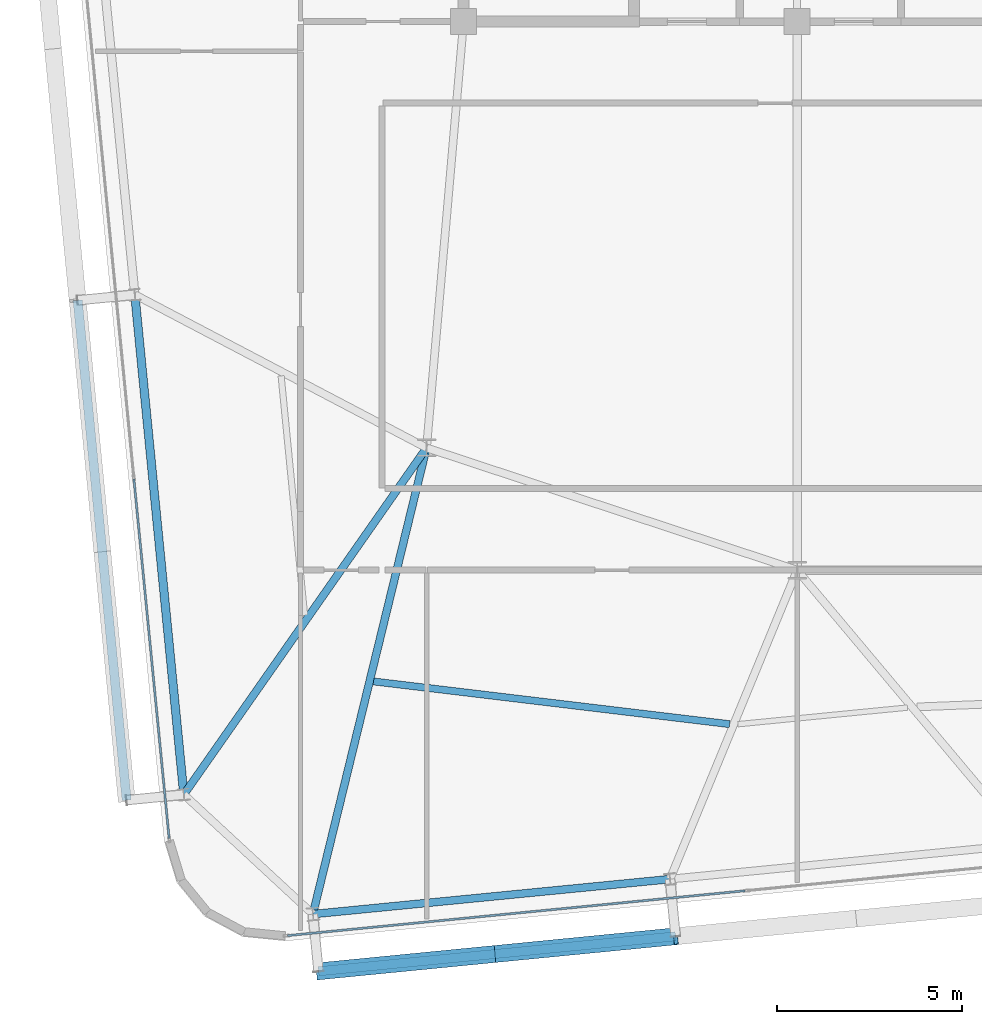
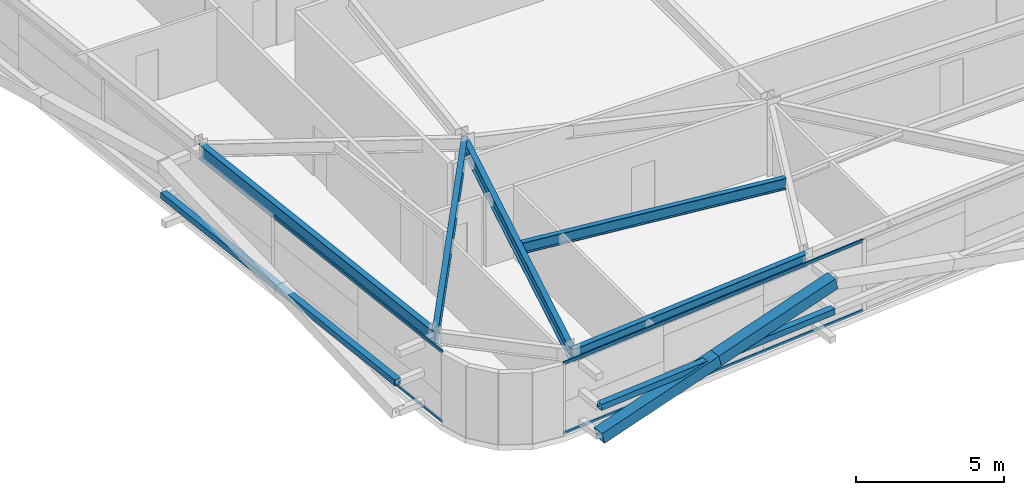
# One storey, part 6 of 47: 8 members, 5 beams, 2 elements without a shape of their own.
"""IFC4 building model written with IfcOpenShell, lengths in metres."""

from ifc_helpers import new_model, si_unit, direction, frame, origin, origin_2d, place, context, subcontext, project, spatial, hollow_rectangle, i_section, extrude, source, transform, mapped, material, layer, layer_set, material_profile, profile_set, type_object, element, aggregate, save


model = new_model("IFC4")

# Units and contexts
model_context = context("Model", 3, precision=1e-05, world=origin(), true_north=direction((0.0, 1.0)))
body_context = subcontext(model_context, "Body", "Model", "MODEL_VIEW")
ifc_project = project(units=[si_unit("LENGTHUNIT", "METRE"), si_unit("AREAUNIT", "SQUARE_METRE"), si_unit("VOLUMEUNIT", "CUBIC_METRE"), si_unit("PLANEANGLEUNIT", "RADIAN"), si_unit("MASSUNIT", "GRAM", prefix="KILO")], contexts=[model_context])

# Site, building, storey
site_placement = place(None, origin())
site = spatial("IfcSite", under=ifc_project, at=site_placement, CompositionType="ELEMENT")
building_placement = place(site_placement, origin())
building = spatial("IfcBuilding", under=site, at=building_placement, Name="Taldren Reach Tower", CompositionType="ELEMENT")
storey_placement = place(building_placement, frame((0.0, 0.0, 106.050048828125)))
storey = spatial("IfcBuildingStorey", under=building, at=storey_placement, Name="L32", CompositionType="ELEMENT", Elevation=106.050048828125)

# Beams
ifc_material_1 = material(Name="Steel Gr 350 (350PLUS)", Category="steel")
ifc_material_profile_1 = material_profile(ifc_material_1, i_section(OverallWidth=0.208984375, OverallDepth=0.528076171875, WebThickness=0.009521484375, FlangeThickness=0.01318359375, at=origin_2d()), Name="530UB82.0")
ifc_profile_set_1 = profile_set([ifc_material_profile_1], Name="Steel Gr 350 (350PLUS)")
beam_type_1 = type_object("IfcBeamType", Name="SP-UB530B", PredefinedType="SPANDREL", material=ifc_profile_set_1)
shared_shape_1 = source(origin(), body_context, "Body", "SweptSolid", [
    extrude(i_section(OverallWidth=0.208984375, OverallDepth=0.528076171875, WebThickness=0.009521484375, FlangeThickness=0.01318359375, at=origin_2d()), origin(), (0.0, 0.0, 1.0), 9.679931640625),
])
beam_1_placement = place(storey_placement, frame((14.93408203125, -0.079833984375, 2.666015625), z_axis=(0.995227612658, 0.097580730699, 0.0), x_axis=(-0.097580730699, 0.995227612658, 0.0)))
element("IfcBeam", 1, at=beam_1_placement, inside=storey, type_object=beam_type_1, Name="Perimeter spandrel B2 S1-S2 L32", PredefinedType="SPANDREL", context=body_context, shape_type="MappedRepresentation", body=[
    mapped(shared_shape_1, transform((0.0, 0.0, 0.0), scale=1.0)),
])
ifc_material_profile_2 = material_profile(ifc_material_1, i_section(OverallWidth=0.22802734375, OverallDepth=0.60205078125, WebThickness=0.010498046875, FlangeThickness=0.014892578125, at=origin_2d()), Name="610UB101")
ifc_profile_set_2 = profile_set([ifc_material_profile_2], Name="Steel Gr 350 (350PLUS)")
beam_type_2 = type_object("IfcBeamType", Name="BM-UB610B", PredefinedType="BEAM", material=ifc_profile_set_2)
shared_shape_2 = source(origin(), body_context, "Body", "SweptSolid", [
    extrude(i_section(OverallWidth=0.22802734375, OverallDepth=0.60205078125, WebThickness=0.010498046875, FlangeThickness=0.014892578125, at=origin_2d()), origin(), (0.0, 0.0, 1.0), 13.550048828125),
])
beam_2_placement = place(storey_placement, frame((10.130615234375, 16.631103515625, 2.62890625), z_axis=(0.097584021339, -0.995227290009, 0.0), x_axis=(0.995227290009, 0.097584021339, 0.0)))
element("IfcBeam", 2, at=beam_2_placement, inside=storey, type_object=beam_type_2, Name="Perimeter gable girder B2 W2-W1 L32", PredefinedType="BEAM", context=body_context, shape_type="MappedRepresentation", body=[
    mapped(shared_shape_2, transform((0.0, 0.0, 0.0), scale=1.0)),
])
ifc_material_profile_3 = material_profile(ifc_material_1, i_section(OverallWidth=0.208984375, OverallDepth=0.532958984375, WebThickness=0.01025390625, FlangeThickness=0.015625, at=origin_2d()), Name="530UB92.4")
ifc_profile_set_3 = profile_set([ifc_material_profile_3], Name="Steel Gr 350 (350PLUS)")
beam_type_3 = type_object("IfcBeamType", Name="BM-UB530A", PredefinedType="BEAM", material=ifc_profile_set_3)
shared_shape_3 = source(origin(), body_context, "Body", "SweptSolid", [
    extrude(i_section(OverallWidth=0.208984375, OverallDepth=0.532958984375, WebThickness=0.01025390625, FlangeThickness=0.015625, at=origin_2d()), origin(), (0.0, 0.0, 1.0), 12.947998046875),
])
beam_3_placement = place(storey_placement, frame((18.0, 12.5, 2.663330078125), z_axis=(-0.236786022782, -0.971561824803, 0.0), x_axis=(0.971561824803, -0.236786022782, 0.0)))
element("IfcBeam", 3, at=beam_3_placement, inside=storey, type_object=beam_type_3, Name="Primary floor girder B2-S1 L32", PredefinedType="BEAM", context=body_context, shape_type="MappedRepresentation", body=[
    mapped(shared_shape_3, transform((0.0, 0.0, 0.0), scale=1.0)),
])
shared_shape_4 = source(origin(), body_context, "Body", "SweptSolid", [
    extrude(i_section(OverallWidth=0.208984375, OverallDepth=0.532958984375, WebThickness=0.01025390625, FlangeThickness=0.015625, at=origin_2d()), origin(), (0.0, 0.0, 1.0), 11.417724609375),
])
beam_4_placement = place(storey_placement, frame((18.0, 12.5, 2.663330078125), z_axis=(-0.573412116146, -0.819267077977, 0.0), x_axis=(0.819267077977, -0.573412116146, 0.0)))
element("IfcBeam", 4, at=beam_4_placement, inside=storey, type_object=beam_type_3, Name="Primary floor girder B2-W1 L32", PredefinedType="BEAM", context=body_context, shape_type="MappedRepresentation", body=[
    mapped(shared_shape_4, transform((0.0, 0.0, 0.0), scale=1.0)),
])
ifc_material_profile_4 = material_profile(ifc_material_1, i_section(OverallWidth=0.19091796875, OverallDepth=0.4599609375, WebThickness=0.010009765625, FlangeThickness=0.01611328125, at=origin_2d()), Name="460UB82.1")
ifc_profile_set_4 = profile_set([ifc_material_profile_4], Name="Steel Gr 350 (350PLUS)")
beam_type_4 = type_object("IfcBeamType", Name="BM-UB460A", PredefinedType="BEAM", material=ifc_profile_set_4)
shared_shape_5 = source(origin(), body_context, "Body", "SweptSolid", [
    extrude(i_section(OverallWidth=0.19091796875, OverallDepth=0.4599609375, WebThickness=0.010009765625, FlangeThickness=0.01611328125, at=origin_2d()), origin(), (0.0, 0.0, 1.0), 9.673583984375),
])
beam_5_placement = place(storey_placement, frame((16.571533203125, 6.197509765625, 2.699951171875), z_axis=(0.992879584922, -0.119122331431, 0.0), x_axis=(0.119122331431, 0.992879584922, 0.0)))
element("IfcBeam", 5, at=beam_5_placement, inside=storey, type_object=beam_type_4, Name="Secondary floor beam B2 J1 L32", PredefinedType="BEAM", context=body_context, shape_type="MappedRepresentation", body=[
    mapped(shared_shape_5, transform((0.0, 0.0, 0.0), scale=1.0)),
])

# Members
ifc_material_2 = material(Name="Steel Gr 450 (C450L0)", Category="steel")
ifc_material_profile_5 = material_profile(ifc_material_2, hollow_rectangle(XDim=0.4599609375, YDim=0.4599609375, WallThickness=0.01611328125, at=origin_2d()), Name="460x460x16.0SHS")
ifc_profile_set_5 = profile_set([ifc_material_profile_5], Name="Steel Gr 450 (C450L0)")
member_type_1 = type_object("IfcMemberType", Name="MB-EXO457", PredefinedType="BRACE", material=ifc_profile_set_5)
shared_shape_6 = source(origin(), body_context, "Body", "SweptSolid", [
    extrude(hollow_rectangle(XDim=0.4599609375, YDim=0.4599609375, WallThickness=0.01611328125, at=origin_2d()), origin(), (0.0, 0.0, 1.0), 4.990234375),
])
for number, where, z_axis, x_axis, name in (
    (6, (15.08544921875, -1.62255859375, 0.219970703125), (0.965271056716, 0.094667992638, 0.243494883389), (-0.097605711627, 0.995225162995, 0.0), "Exoskeleton Diagrid Brace B2-S1 L32"),
    (7, (19.90234375, -1.150146484375, 1.43505859375), (0.965287024526, 0.094620633828, 0.24344998652), (-0.097555749586, 0.995230061706, 0.0), "Exoskeleton Diagrid Brace B2-S1 L32"),
):
    element("IfcMember", number, at=place(storey_placement, frame(where, z_axis=z_axis, x_axis=x_axis)), inside=storey, type_object=member_type_1, Name=name, PredefinedType="BRACE", context=body_context, shape_type="MappedRepresentation", body=[
        mapped(shared_shape_6, transform((0.0, 0.0, 0.0), scale=1.0)),
    ])
ifc_material_3 = material(Name="Steel Gr 350 (C350L0)", Category="steel")
ifc_material_profile_6 = material_profile(ifc_material_3, hollow_rectangle(XDim=0.25, YDim=0.25, WallThickness=0.010009765625, at=origin_2d()), Name="250x250x10.0SHS")
ifc_profile_set_6 = profile_set([ifc_material_profile_6], Name="Steel Gr 350 (C350L0)")
member_type_2 = type_object("IfcMemberType", Name="MB-POST250", PredefinedType="POST", material=ifc_profile_set_6)
shared_shape_7 = source(origin(), body_context, "Body", "SweptSolid", [
    extrude(hollow_rectangle(XDim=0.25, YDim=0.25, WallThickness=0.010009765625, at=origin_2d()), origin(), (0.0, 0.0, 1.0), 9.679931640625),
])
member_1_placement = place(storey_placement, frame((15.08544921875, -1.62255859375, 1.43505859375), z_axis=(0.995227612658, 0.097580730699, 0.0), x_axis=(-0.097580730699, 0.995227612658, 0.0)))
element("IfcMember", 8, at=member_1_placement, inside=storey, type_object=member_type_2, Name="Exoskeleton mid-height ring chord B2-S1 L32", PredefinedType="POST", context=body_context, shape_type="MappedRepresentation", body=[
    mapped(shared_shape_7, transform((0.0, 0.0, 0.0), scale=1.0)),
])
shared_shape_8 = source(origin(), body_context, "Body", "SweptSolid", [
    extrude(hollow_rectangle(XDim=0.25, YDim=0.25, WallThickness=0.010009765625, at=origin_2d()), origin(), (0.0, 0.0, 1.0), 13.5498046875),
])
member_2_placement = place(storey_placement, frame((9.91015625, 2.99462890625, 1.43505859375), z_axis=(-0.097585771221, 0.995227118428, 0.0), x_axis=(-0.995227118428, -0.097585771221, 0.0)))
element("IfcMember", 9, at=member_2_placement, inside=storey, type_object=member_type_2, Name="Exoskeleton mid-height ring chord B2-W1 L32", PredefinedType="POST", context=body_context, shape_type="MappedRepresentation", body=[
    mapped(shared_shape_8, transform((0.0, 0.0, 0.0), scale=1.0)),
])

# Curtain wall, members
ifc_material_4 = material(Name="Aluminium and Low-E Glass Unitised System", Category="aluminium")
ifc_layer = layer(ifc_material_4, 0.159912109375)
ifc_layer_set = layer_set([ifc_layer], Name="Aluminium and Low-E Glass Unitised System")
curtain_wall_type = type_object("IfcCurtainWallType", Name="CW-SYS-3", PredefinedType="NOTDEFINED", material=ifc_layer_set)
curtain_wall_1_placement = place(storey_placement, origin())
curtain_wall_1 = element("IfcCurtainWall", 10, at=curtain_wall_1_placement, inside=storey, type_object=curtain_wall_type, Name="Unitised curtain wall CW-L32-S", PredefinedType="NOTDEFINED")
ifc_material_5 = material(Name="Anodised Aluminium 6063-T6", Category="aluminium")
ifc_material_profile_7 = material_profile(ifc_material_5, hollow_rectangle(XDim=0.054931640625, YDim=0.1201171875, WallThickness=0.0029296875, at=origin_2d()), Name="ALU-120x55x3RHS")
ifc_profile_set_7 = profile_set([ifc_material_profile_7], Name="Anodised Aluminium 6063-T6")
member_type_3 = type_object("IfcMemberType", Name="CW-TRN-135", PredefinedType="USERDEFINED", material=ifc_profile_set_7)
shared_shape_9 = source(origin(), body_context, "Body", "SweptSolid", [
    extrude(hollow_rectangle(XDim=0.054931640625, YDim=0.1201171875, WallThickness=0.0029296875, at=origin_2d()), origin(), (0.0, 0.0, 1.0), 12.40234375),
])
member_3_placement = place(storey_placement, frame((14.25244140625, -0.6591796875, 0.02734375), z_axis=(0.995227887927, 0.097577923186, 0.0), x_axis=(-0.097577923186, 0.995227887927, 0.0)))
member_3 = element("IfcMember", 11, at=member_3_placement, type_object=member_type_3, Name="CW-3 transom 1.1", ObjectType="TRANSOM", PredefinedType="USERDEFINED", context=body_context, shape_type="MappedRepresentation", body=[
    mapped(shared_shape_9, transform((0.0, 0.0, 0.0), scale=1.0)),
])
member_4_placement = place(storey_placement, frame((14.25244140625, -0.6591796875, 2.90234375), z_axis=(0.995227887927, 0.097577923186, 0.0), x_axis=(-0.097577923186, 0.995227887927, 0.0)))
member_4 = element("IfcMember", 12, at=member_4_placement, type_object=member_type_3, Name="CW-3 transom 1.2", ObjectType="TRANSOM", PredefinedType="USERDEFINED", context=body_context, shape_type="MappedRepresentation", body=[
    mapped(shared_shape_9, transform((0.0, 0.0, 0.0), scale=1.0)),
])
aggregate(curtain_wall_1, [member_3, member_4])

curtain_wall_2_placement = place(storey_placement, origin())
curtain_wall_2 = element("IfcCurtainWall", 13, at=curtain_wall_2_placement, inside=storey, type_object=curtain_wall_type, Name="Unitised curtain wall CW-L32-W", PredefinedType="NOTDEFINED")
shared_shape_10 = source(origin(), body_context, "Body", "SweptSolid", [
    extrude(hollow_rectangle(XDim=0.054931640625, YDim=0.1201171875, WallThickness=0.0029296875, at=origin_2d()), origin(), (0.0, 0.0, 1.0), 9.73583984375),
])
member_5_placement = place(storey_placement, frame((10.10595703125, 11.65576171875, 0.02734375), z_axis=(0.097571911043, -0.995228477374, 0.0), x_axis=(0.995228477374, 0.097571911043, 0.0)))
member_5 = element("IfcMember", 14, at=member_5_placement, type_object=member_type_3, Name="CW-3 transom 3.1", ObjectType="TRANSOM", PredefinedType="USERDEFINED", context=body_context, shape_type="MappedRepresentation", body=[
    mapped(shared_shape_10, transform((0.0, 0.0, 0.0), scale=1.0)),
])
member_6_placement = place(storey_placement, frame((10.10595703125, 11.65576171875, 2.90234375), z_axis=(0.097571911043, -0.995228477374, 0.0), x_axis=(0.995228477374, 0.097571911043, 0.0)))
member_6 = element("IfcMember", 15, at=member_6_placement, type_object=member_type_3, Name="CW-3 transom 3.2", ObjectType="TRANSOM", PredefinedType="USERDEFINED", context=body_context, shape_type="MappedRepresentation", body=[
    mapped(shared_shape_10, transform((0.0, 0.0, 0.0), scale=1.0)),
])
aggregate(curtain_wall_2, [member_5, member_6])

save(model, "model.ifc")
